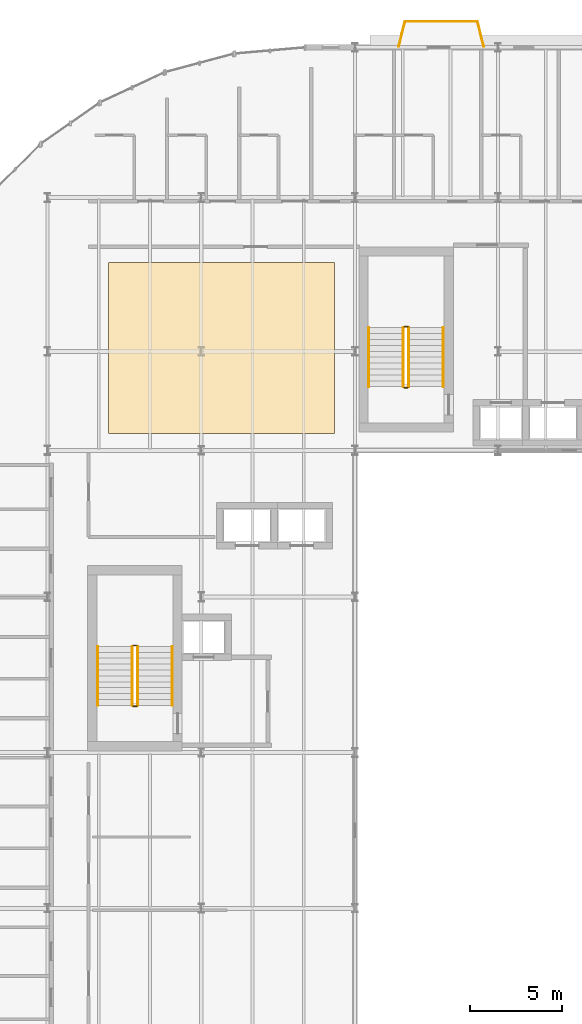
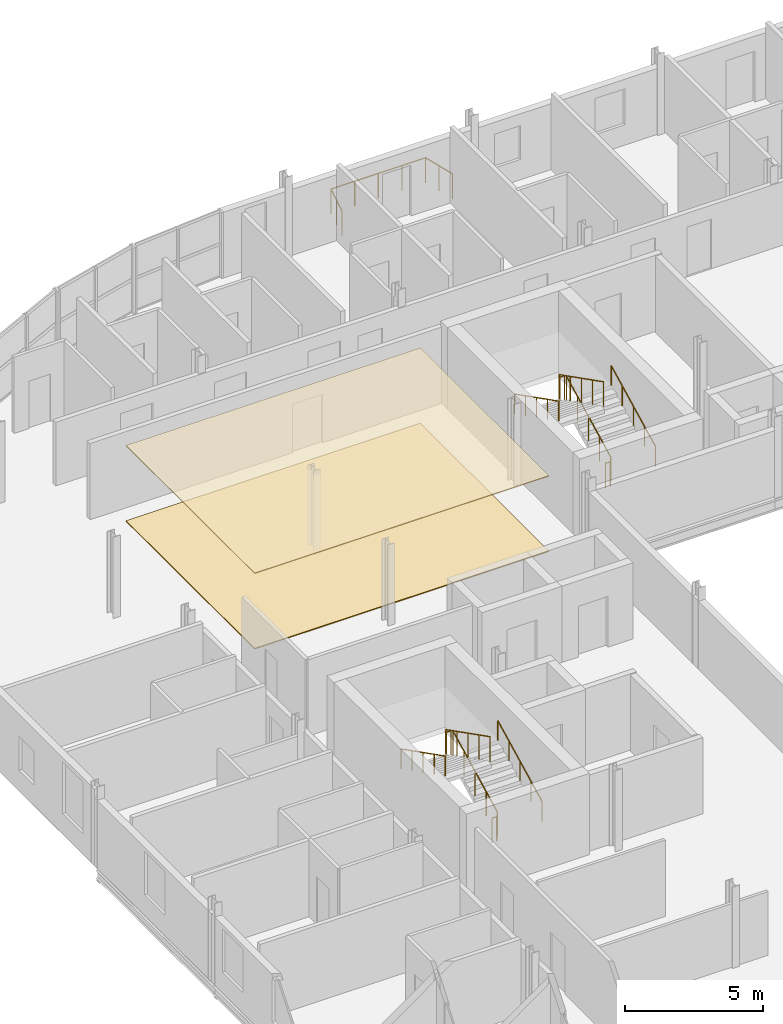
# One storey, part 27 of 30: 15 railings, 2 coverings.
"""IFC4 building model written with IfcOpenShell, lengths in metres."""

from ifc_helpers import new_model, si_unit, direction, frame, origin, origin_2d, place, context, subcontext, project, spatial, polyline, circle, outline, extrude, material, layer, layer_set, type_object, element, save


model = new_model("IFC4")

# Units and contexts
model_context = context("Model", 3, precision=1e-05, world=origin(), true_north=direction((0.0, 1.0)))
body_context = subcontext(model_context, "Body", "Model", "MODEL_VIEW")
ifc_project = project(units=[si_unit("LENGTHUNIT", "METRE"), si_unit("AREAUNIT", "SQUARE_METRE"), si_unit("VOLUMEUNIT", "CUBIC_METRE"), si_unit("PLANEANGLEUNIT", "RADIAN"), si_unit("MASSUNIT", "GRAM", prefix="KILO")], contexts=[model_context])

# Site, building, storey
site_placement = place(None, origin())
site = spatial("IfcSite", under=ifc_project, at=site_placement, CompositionType="ELEMENT")
building_placement = place(site_placement, origin())
building = spatial("IfcBuilding", under=site, at=building_placement, Name="Sefraquen Railside Congress Hotel", CompositionType="ELEMENT")
storey_placement = place(building_placement, frame((0.0, 0.0, 35.39990234375)))
storey = spatial("IfcBuildingStorey", under=building, at=storey_placement, Name="L08", CompositionType="ELEMENT", Elevation=35.39990234375)

# Coverings
ifc_material_1 = material(Name="Acoustic mineral and carved plaster ceiling", Category="gypsum")
ifc_layer_1 = layer(ifc_material_1, 0.0400390625)
ifc_layer_set_1 = layer_set([ifc_layer_1], Name="Acoustic mineral and carved plaster ceiling")
covering_type_1 = type_object("IfcCoveringType", Name="TCV-CEIL-01", PredefinedType="CEILING", material=ifc_layer_set_1)
covering_1_placement = place(storey_placement, frame((0.0, 0.0, 3.340087890625)))
element("IfcCovering", 1, at=covering_1_placement, inside=storey, type_object=covering_type_1, Name="Valet and Beverage Service Pantry L08 acoustic ceiling finish", PredefinedType="CEILING", context=body_context, shape_type="SweptSolid", body=[
    extrude(outline(polyline([(11.72998046875, 96.929931640625), (24.070068359375, 96.929931640625), (24.070068359375, 106.27001953125), (11.72998046875, 106.27001953125), (11.72998046875, 96.929931640625)])), origin(), (0.0, 0.0, 1.0), 0.0400390625),
])
ifc_material_2 = material(Name="Moroccan zellige ceramic and honed stone flooring", Category="masonry")
ifc_layer_2 = layer(ifc_material_2, 0.0400390625)
ifc_layer_set_2 = layer_set([ifc_layer_2], Name="Moroccan zellige ceramic and honed stone flooring")
covering_type_2 = type_object("IfcCoveringType", Name="TCV-FLR-01", PredefinedType="FLOORING", material=ifc_layer_set_2)
covering_2_placement = place(storey_placement, origin())
element("IfcCovering", 2, at=covering_2_placement, inside=storey, type_object=covering_type_2, Name="Valet and Beverage Service Pantry L08 architectural floor finish", PredefinedType="FLOORING", context=body_context, shape_type="SweptSolid", body=[
    extrude(outline(polyline([(11.72998046875, 96.929931640625), (24.070068359375, 96.929931640625), (24.070068359375, 106.27001953125), (11.72998046875, 106.27001953125), (11.72998046875, 96.929931640625)])), origin(), (0.0, 0.0, 1.0), 0.0400390625),
])

# Railings
ifc_material_3 = material(Name="Patinated wrought architectural bronze", Category="metal")
railing_type_1 = type_object("IfcRailingType", Name="TRL-BAL-110", PredefinedType="BALUSTRADE", material=ifc_material_3)
railing_1_placement = place(storey_placement, frame((27.580078125, 118.050048828125, 0.0)))
element("IfcRailing", 3, at=railing_1_placement, inside=storey, type_object=railing_type_1, Name="Guest balcony Art Nouveau balustrade L08-01", PredefinedType="BALUSTRADE", context=body_context, shape_type="SweptSolid", body=[
    extrude(circle(Radius=0.02392578125, at=origin_2d()), frame((0.0, 0.0, 1.09619140625), z_axis=(0.240785102022, 0.970578453627, 0.0), x_axis=(-0.970578453627, 0.240785102022, 0.0)), (0.0, 0.0, 1.0), 1.411376953125),
    extrude(circle(Radius=0.02099609375, at=origin_2d()), origin(), (0.0, 0.0, 1.0), 1.072021484375),
    extrude(circle(Radius=0.02099609375, at=origin_2d()), frame((0.169921875, 0.68505859375, 0.0)), (0.0, 0.0, 1.0), 1.072021484375),
    extrude(circle(Radius=0.02099609375, at=origin_2d()), frame((0.33984375, 1.369873046875, 0.0)), (0.0, 0.0, 1.0), 1.072021484375),
])
railing_2_placement = place(storey_placement, frame((27.919921875, 119.419921875, 0.0)))
element("IfcRailing", 4, at=railing_2_placement, inside=storey, type_object=railing_type_1, Name="Guest balcony Art Nouveau balustrade L08-01", PredefinedType="BALUSTRADE", context=body_context, shape_type="SweptSolid", body=[
    extrude(circle(Radius=0.02392578125, at=origin_2d()), frame((0.0, 0.0, 1.09619140625), z_axis=(1.0, 0.0, 0.0), x_axis=(0.0, 1.0, 0.0)), (0.0, 0.0, 1.0), 3.9599609375),
    extrude(circle(Radius=0.02099609375, at=origin_2d()), origin(), (0.0, 0.0, 1.0), 1.072021484375),
    extrude(circle(Radius=0.02099609375, at=origin_2d()), frame((0.989990234375, 0.0, 0.0)), (0.0, 0.0, 1.0), 1.072021484375),
    extrude(circle(Radius=0.02099609375, at=origin_2d()), frame((1.97998046875, 0.0, 0.0)), (0.0, 0.0, 1.0), 1.072021484375),
    extrude(circle(Radius=0.02099609375, at=origin_2d()), frame((2.969970703125, 0.0, 0.0)), (0.0, 0.0, 1.0), 1.072021484375),
    extrude(circle(Radius=0.02099609375, at=origin_2d()), frame((3.9599609375, 0.0, 0.0)), (0.0, 0.0, 1.0), 1.072021484375),
])
railing_3_placement = place(storey_placement, frame((31.8798828125, 119.419921875, 0.0)))
element("IfcRailing", 5, at=railing_3_placement, inside=storey, type_object=railing_type_1, Name="Guest balcony Art Nouveau balustrade L08-01", PredefinedType="BALUSTRADE", context=body_context, shape_type="SweptSolid", body=[
    extrude(circle(Radius=0.02392578125, at=origin_2d()), frame((0.0, 0.0, 1.09619140625), z_axis=(0.240948040829, -0.970538016577, 0.0), x_axis=(0.970538016577, 0.240948040829, 0.0)), (0.0, 0.0, 1.0), 1.411376953125),
    extrude(circle(Radius=0.02099609375, at=origin_2d()), origin(), (0.0, 0.0, 1.0), 1.072021484375),
    extrude(circle(Radius=0.02099609375, at=origin_2d()), frame((0.169921875, -0.68505859375, 0.0)), (0.0, 0.0, 1.0), 1.072021484375),
    extrude(circle(Radius=0.02099609375, at=origin_2d()), frame((0.340087890625, -1.369873046875, 0.0)), (0.0, 0.0, 1.0), 1.072021484375),
])
railing_4_placement = place(storey_placement, frame((13.330078125, 82.080078125, 0.163818359375)))
element("IfcRailing", 6, at=railing_4_placement, inside=storey, type_object=railing_type_1, Name="L08 ST-H01 stair guard 1", PredefinedType="BALUSTRADE", context=body_context, shape_type="SweptSolid", body=[
    extrude(circle(Radius=0.02392578125, at=origin_2d()), frame((0.0, 0.0, 1.076171875), z_axis=(0.0, 0.89150174374, 0.453017263367), x_axis=(-1.0, 0.0, 0.0)), (0.0, 0.0, 1.0), 3.61181640625),
    extrude(circle(Radius=0.02099609375, at=origin_2d()), origin(), (0.0, 0.0, 1.0), 1.052001953125),
    extrude(circle(Radius=0.02099609375, at=origin_2d()), frame((0.0, 0.804931640625, 0.4091796875)), (0.0, 0.0, 1.0), 1.052001953125),
    extrude(circle(Radius=0.02099609375, at=origin_2d()), frame((0.0, 1.60986328125, 0.818115234375)), (0.0, 0.0, 1.0), 1.052001953125),
    extrude(circle(Radius=0.02099609375, at=origin_2d()), frame((0.0, 2.4150390625, 1.22705078125)), (0.0, 0.0, 1.0), 1.052001953125),
    extrude(circle(Radius=0.02099609375, at=origin_2d()), frame((0.0, 3.219970703125, 1.63623046875)), (0.0, 0.0, 1.0), 1.052001953125),
])
railing_5_placement = place(storey_placement, frame((13.280029296875, 85.35009765625, 1.800048828125)))
element("IfcRailing", 7, at=railing_5_placement, inside=storey, type_object=railing_type_1, Name="L08 ST-H01 stair guard 2", PredefinedType="BALUSTRADE", context=body_context, shape_type="SweptSolid", body=[
    extrude(circle(Radius=0.02392578125, at=origin_2d()), frame((0.0, 0.0, 1.076171875), z_axis=(-1.0, 0.0, 0.0), x_axis=(0.0, -1.0, 0.0)), (0.0, 0.0, 1.0), 0.199951171875),
    extrude(circle(Radius=0.02099609375, at=origin_2d()), origin(), (0.0, 0.0, 1.0), 1.052001953125),
    extrude(circle(Radius=0.02099609375, at=origin_2d()), frame((-0.199951171875, 0.0, 0.0)), (0.0, 0.0, 1.0), 1.052001953125),
])
railing_6_placement = place(storey_placement, frame((13.030029296875, 85.300048828125, 1.963623046875)))
element("IfcRailing", 8, at=railing_6_placement, inside=storey, type_object=railing_type_1, Name="L08 ST-H01 stair guard 3", PredefinedType="BALUSTRADE", context=body_context, shape_type="SweptSolid", body=[
    extrude(circle(Radius=0.02392578125, at=origin_2d()), frame((0.0, 0.0, 1.076171875), z_axis=(0.0, -0.891474443924, 0.453070983215), x_axis=(1.0, 0.0, 0.0)), (0.0, 0.0, 1.0), 3.612060546875),
    extrude(circle(Radius=0.02099609375, at=origin_2d()), origin(), (0.0, 0.0, 1.0), 1.052001953125),
    extrude(circle(Radius=0.02099609375, at=origin_2d()), frame((0.0, -0.804931640625, 0.4091796875)), (0.0, 0.0, 1.0), 1.052001953125),
    extrude(circle(Radius=0.02099609375, at=origin_2d()), frame((0.0, -1.60986328125, 0.818359375)), (0.0, 0.0, 1.0), 1.052001953125),
    extrude(circle(Radius=0.02099609375, at=origin_2d()), frame((0.0, -2.4150390625, 1.227294921875)), (0.0, 0.0, 1.0), 1.052001953125),
    extrude(circle(Radius=0.02099609375, at=origin_2d()), frame((0.0, -3.219970703125, 1.636474609375)), (0.0, 0.0, 1.0), 1.052001953125),
])
railing_7_placement = place(storey_placement, frame((13.280029296875, 82.030029296875, 0.0)))
element("IfcRailing", 9, at=railing_7_placement, inside=storey, type_object=railing_type_1, Name="L08 ST-H01 stair guard 4", PredefinedType="BALUSTRADE", context=body_context, shape_type="SweptSolid", body=[
    extrude(circle(Radius=0.02392578125, at=origin_2d()), frame((0.0, 0.0, 1.076171875), z_axis=(-1.0, 0.0, 0.0), x_axis=(0.0, -1.0, 0.0)), (0.0, 0.0, 1.0), 0.199951171875),
    extrude(circle(Radius=0.02099609375, at=origin_2d()), origin(), (0.0, 0.0, 1.0), 1.052001953125),
    extrude(circle(Radius=0.02099609375, at=origin_2d()), frame((-0.199951171875, 0.0, 0.0)), (0.0, 0.0, 1.0), 1.052001953125),
])
railing_8_placement = place(storey_placement, frame((28.1298828125, 99.47998046875, 0.163818359375)))
element("IfcRailing", 10, at=railing_8_placement, inside=storey, type_object=railing_type_1, Name="L08 ST-H02 stair guard 1", PredefinedType="BALUSTRADE", context=body_context, shape_type="SweptSolid", body=[
    extrude(circle(Radius=0.02392578125, at=origin_2d()), frame((0.0, 0.0, 1.076171875), z_axis=(0.0, 0.89150174374, 0.453017263367), x_axis=(-1.0, 0.0, 0.0)), (0.0, 0.0, 1.0), 3.61181640625),
    extrude(circle(Radius=0.02099609375, at=origin_2d()), origin(), (0.0, 0.0, 1.0), 1.052001953125),
    extrude(circle(Radius=0.02099609375, at=origin_2d()), frame((0.0, 0.804931640625, 0.4091796875)), (0.0, 0.0, 1.0), 1.052001953125),
    extrude(circle(Radius=0.02099609375, at=origin_2d()), frame((0.0, 1.60986328125, 0.818115234375)), (0.0, 0.0, 1.0), 1.052001953125),
    extrude(circle(Radius=0.02099609375, at=origin_2d()), frame((0.0, 2.4150390625, 1.22705078125)), (0.0, 0.0, 1.0), 1.052001953125),
    extrude(circle(Radius=0.02099609375, at=origin_2d()), frame((0.0, 3.219970703125, 1.63623046875)), (0.0, 0.0, 1.0), 1.052001953125),
])
railing_9_placement = place(storey_placement, frame((28.080078125, 102.75, 1.800048828125)))
element("IfcRailing", 11, at=railing_9_placement, inside=storey, type_object=railing_type_1, Name="L08 ST-H02 stair guard 2", PredefinedType="BALUSTRADE", context=body_context, shape_type="SweptSolid", body=[
    extrude(circle(Radius=0.02392578125, at=origin_2d()), frame((0.0, 0.0, 1.076171875), z_axis=(-1.0, 0.0, 0.0), x_axis=(0.0, -1.0, 0.0)), (0.0, 0.0, 1.0), 0.2001953125),
    extrude(circle(Radius=0.02099609375, at=origin_2d()), origin(), (0.0, 0.0, 1.0), 1.052001953125),
    extrude(circle(Radius=0.02099609375, at=origin_2d()), frame((-0.2001953125, 0.0, 0.0)), (0.0, 0.0, 1.0), 1.052001953125),
])
railing_10_placement = place(storey_placement, frame((27.830078125, 102.699951171875, 1.963623046875)))
element("IfcRailing", 12, at=railing_10_placement, inside=storey, type_object=railing_type_1, Name="L08 ST-H02 stair guard 3", PredefinedType="BALUSTRADE", context=body_context, shape_type="SweptSolid", body=[
    extrude(circle(Radius=0.02392578125, at=origin_2d()), frame((0.0, 0.0, 1.076171875), z_axis=(0.0, -0.891474443924, 0.453070983215), x_axis=(1.0, 0.0, 0.0)), (0.0, 0.0, 1.0), 3.612060546875),
    extrude(circle(Radius=0.02099609375, at=origin_2d()), origin(), (0.0, 0.0, 1.0), 1.052001953125),
    extrude(circle(Radius=0.02099609375, at=origin_2d()), frame((0.0, -0.804931640625, 0.4091796875)), (0.0, 0.0, 1.0), 1.052001953125),
    extrude(circle(Radius=0.02099609375, at=origin_2d()), frame((0.0, -1.60986328125, 0.818359375)), (0.0, 0.0, 1.0), 1.052001953125),
    extrude(circle(Radius=0.02099609375, at=origin_2d()), frame((0.0, -2.4150390625, 1.227294921875)), (0.0, 0.0, 1.0), 1.052001953125),
    extrude(circle(Radius=0.02099609375, at=origin_2d()), frame((0.0, -3.219970703125, 1.636474609375)), (0.0, 0.0, 1.0), 1.052001953125),
])
railing_11_placement = place(storey_placement, frame((28.080078125, 99.429931640625, 0.0)))
element("IfcRailing", 13, at=railing_11_placement, inside=storey, type_object=railing_type_1, Name="L08 ST-H02 stair guard 4", PredefinedType="BALUSTRADE", context=body_context, shape_type="SweptSolid", body=[
    extrude(circle(Radius=0.02392578125, at=origin_2d()), frame((0.0, 0.0, 1.076171875), z_axis=(-1.0, 0.0, 0.0), x_axis=(0.0, -1.0, 0.0)), (0.0, 0.0, 1.0), 0.2001953125),
    extrude(circle(Radius=0.02099609375, at=origin_2d()), origin(), (0.0, 0.0, 1.0), 1.052001953125),
    extrude(circle(Radius=0.02099609375, at=origin_2d()), frame((-0.2001953125, 0.0, 0.0)), (0.0, 0.0, 1.0), 1.052001953125),
])
railing_type_2 = type_object("IfcRailingType", Name="TRL-HR-090", PredefinedType="HANDRAIL", material=ifc_material_3)
railing_12_placement = place(storey_placement, frame((15.2099609375, 82.080078125, 0.163818359375)))
element("IfcRailing", 14, at=railing_12_placement, inside=storey, type_object=railing_type_2, Name="L08 ST-H01 stair handrail 1", PredefinedType="HANDRAIL", context=body_context, shape_type="SweptSolid", body=[
    extrude(circle(Radius=0.02392578125, at=origin_2d()), frame((0.0, 0.0, 0.8759765625), z_axis=(0.0, 0.89150174374, 0.453017263367), x_axis=(-1.0, 0.0, 0.0)), (0.0, 0.0, 1.0), 3.61181640625),
    extrude(circle(Radius=0.02099609375, at=origin_2d()), origin(), (0.0, 0.0, 1.0), 0.851806640625),
    extrude(circle(Radius=0.02099609375, at=origin_2d()), frame((0.0, 0.804931640625, 0.4091796875)), (0.0, 0.0, 1.0), 0.851806640625),
    extrude(circle(Radius=0.02099609375, at=origin_2d()), frame((0.0, 1.60986328125, 0.818115234375)), (0.0, 0.0, 1.0), 0.851806640625),
    extrude(circle(Radius=0.02099609375, at=origin_2d()), frame((0.0, 2.4150390625, 1.22705078125)), (0.0, 0.0, 1.0), 0.851806640625),
    extrude(circle(Radius=0.02099609375, at=origin_2d()), frame((0.0, 3.219970703125, 1.63623046875)), (0.0, 0.0, 1.0), 0.851806640625),
])
railing_13_placement = place(storey_placement, frame((11.14990234375, 85.300048828125, 1.963623046875)))
element("IfcRailing", 15, at=railing_13_placement, inside=storey, type_object=railing_type_2, Name="L08 ST-H01 stair handrail 2", PredefinedType="HANDRAIL", context=body_context, shape_type="SweptSolid", body=[
    extrude(circle(Radius=0.02392578125, at=origin_2d()), frame((0.0, 0.0, 0.8759765625), z_axis=(0.0, -0.891474443924, 0.453070983215), x_axis=(1.0, 0.0, 0.0)), (0.0, 0.0, 1.0), 3.612060546875),
    extrude(circle(Radius=0.02099609375, at=origin_2d()), origin(), (0.0, 0.0, 1.0), 0.851806640625),
    extrude(circle(Radius=0.02099609375, at=origin_2d()), frame((0.0, -0.804931640625, 0.4091796875)), (0.0, 0.0, 1.0), 0.851806640625),
    extrude(circle(Radius=0.02099609375, at=origin_2d()), frame((0.0, -1.60986328125, 0.818359375)), (0.0, 0.0, 1.0), 0.851806640625),
    extrude(circle(Radius=0.02099609375, at=origin_2d()), frame((0.0, -2.4150390625, 1.227294921875)), (0.0, 0.0, 1.0), 0.851806640625),
    extrude(circle(Radius=0.02099609375, at=origin_2d()), frame((0.0, -3.219970703125, 1.636474609375)), (0.0, 0.0, 1.0), 0.851806640625),
])
railing_14_placement = place(storey_placement, frame((30.010009765625, 99.47998046875, 0.163818359375)))
element("IfcRailing", 16, at=railing_14_placement, inside=storey, type_object=railing_type_2, Name="L08 ST-H02 stair handrail 1", PredefinedType="HANDRAIL", context=body_context, shape_type="SweptSolid", body=[
    extrude(circle(Radius=0.02392578125, at=origin_2d()), frame((0.0, 0.0, 0.8759765625), z_axis=(0.0, 0.89150174374, 0.453017263367), x_axis=(-1.0, 0.0, 0.0)), (0.0, 0.0, 1.0), 3.61181640625),
    extrude(circle(Radius=0.02099609375, at=origin_2d()), origin(), (0.0, 0.0, 1.0), 0.851806640625),
    extrude(circle(Radius=0.02099609375, at=origin_2d()), frame((0.0, 0.804931640625, 0.4091796875)), (0.0, 0.0, 1.0), 0.851806640625),
    extrude(circle(Radius=0.02099609375, at=origin_2d()), frame((0.0, 1.60986328125, 0.818115234375)), (0.0, 0.0, 1.0), 0.851806640625),
    extrude(circle(Radius=0.02099609375, at=origin_2d()), frame((0.0, 2.4150390625, 1.22705078125)), (0.0, 0.0, 1.0), 0.851806640625),
    extrude(circle(Radius=0.02099609375, at=origin_2d()), frame((0.0, 3.219970703125, 1.63623046875)), (0.0, 0.0, 1.0), 0.851806640625),
])
railing_15_placement = place(storey_placement, frame((25.949951171875, 102.699951171875, 1.963623046875)))
element("IfcRailing", 17, at=railing_15_placement, inside=storey, type_object=railing_type_2, Name="L08 ST-H02 stair handrail 2", PredefinedType="HANDRAIL", context=body_context, shape_type="SweptSolid", body=[
    extrude(circle(Radius=0.02392578125, at=origin_2d()), frame((0.0, 0.0, 0.8759765625), z_axis=(0.0, -0.891474443924, 0.453070983215), x_axis=(1.0, 0.0, 0.0)), (0.0, 0.0, 1.0), 3.612060546875),
    extrude(circle(Radius=0.02099609375, at=origin_2d()), origin(), (0.0, 0.0, 1.0), 0.851806640625),
    extrude(circle(Radius=0.02099609375, at=origin_2d()), frame((0.0, -0.804931640625, 0.4091796875)), (0.0, 0.0, 1.0), 0.851806640625),
    extrude(circle(Radius=0.02099609375, at=origin_2d()), frame((0.0, -1.60986328125, 0.818359375)), (0.0, 0.0, 1.0), 0.851806640625),
    extrude(circle(Radius=0.02099609375, at=origin_2d()), frame((0.0, -2.4150390625, 1.227294921875)), (0.0, 0.0, 1.0), 0.851806640625),
    extrude(circle(Radius=0.02099609375, at=origin_2d()), frame((0.0, -3.219970703125, 1.636474609375)), (0.0, 0.0, 1.0), 0.851806640625),
])

save(model, "model.ifc")
